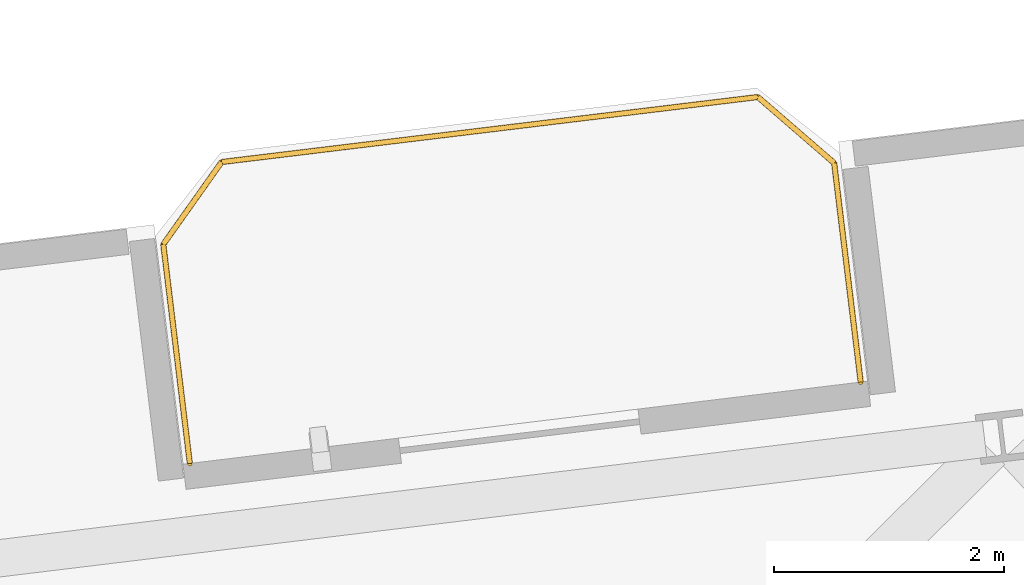
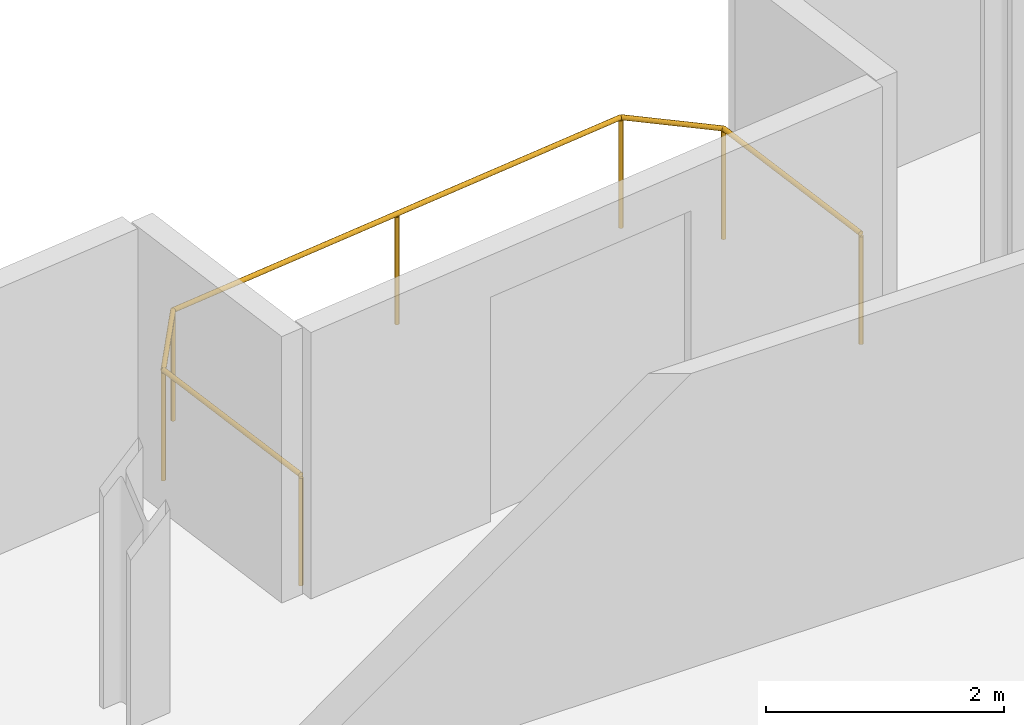
# One storey, part 24 of 24: 1 railing.
"""IFC4 building model written with IfcOpenShell, lengths in metres."""

from ifc_helpers import new_model, si_unit, direction, frame, origin, origin_2d, place, context, subcontext, project, spatial, circle, extrude, material, type_object, element, save


model = new_model("IFC4")

# Units and contexts
model_context = context("Model", 3, precision=1e-05, world=origin(), true_north=direction((0.0, 1.0)))
body_context = subcontext(model_context, "Body", "Model", "MODEL_VIEW")
ifc_project = project(units=[si_unit("LENGTHUNIT", "METRE"), si_unit("AREAUNIT", "SQUARE_METRE"), si_unit("VOLUMEUNIT", "CUBIC_METRE"), si_unit("PLANEANGLEUNIT", "RADIAN"), si_unit("MASSUNIT", "GRAM", prefix="KILO")], contexts=[model_context])

# Site, building, storey
site_placement = place(None, origin())
site = spatial("IfcSite", under=ifc_project, at=site_placement, CompositionType="ELEMENT")
building_placement = place(site_placement, origin())
building = spatial("IfcBuilding", under=site, at=building_placement, Name="Varnelok Gate Tower", CompositionType="ELEMENT")
storey_placement = place(building_placement, frame((0.0, 0.0, 196.800048828125)))
storey = spatial("IfcBuildingStorey", under=building, at=storey_placement, Name="L50", CompositionType="ELEMENT", Elevation=196.800048828125)

# Railing
ifc_material = material(Name="Low-E Laminated Double Glazing IGU", Category="glass")
railing_type = type_object("IfcRailingType", Name="RL-BALC-1150", PredefinedType="BALUSTRADE", material=ifc_material)
railing_placement = place(storey_placement, frame((48.19384765625, 46.335205078125, 0.0)))
element("IfcRailing", 1, at=railing_placement, inside=storey, type_object=railing_type, Name="L50 North Terrace Balustrade 6", PredefinedType="BALUSTRADE", context=body_context, shape_type="SweptSolid", body=[
    extrude(circle(Radius=0.02392578125, at=origin_2d()), frame((0.0, 0.0, 1.1259765625), z_axis=(-0.120293392036, 0.992738384386, 0.0), x_axis=(-0.992738384386, -0.120293392036, 0.0)), (0.0, 0.0, 1.0), 1.919921875),
    extrude(circle(Radius=0.02392578125, at=origin_2d()), frame((-0.23095703125, 1.906005859375, 1.1259765625), z_axis=(0.577971037086, 0.816057277579, 0.0), x_axis=(-0.816057277579, 0.577971037086, 0.0)), (0.0, 0.0, 1.0), 0.877685546875),
    extrude(circle(Radius=0.02392578125, at=origin_2d()), frame((0.2763671875, 2.622314453125, 1.1259765625), z_axis=(0.99273133746, 0.120351533534, 0.0), x_axis=(-0.120351533534, 0.99273133746, 0.0)), (0.0, 0.0, 1.0), 4.7001953125),
    extrude(circle(Radius=0.02392578125, at=origin_2d()), frame((4.9423828125, 3.18798828125, 1.1259765625), z_axis=(0.756303655992, -0.654220742513, 0.0), x_axis=(0.654220742513, 0.756303655992, 0.0)), (0.0, 0.0, 1.0), 0.877685546875),
    extrude(circle(Radius=0.02392578125, at=origin_2d()), frame((5.606201171875, 2.61376953125, 1.1259765625), z_axis=(0.120293392036, -0.992738384386, 0.0), x_axis=(0.992738384386, 0.120293392036, 0.0)), (0.0, 0.0, 1.0), 1.919921875),
    extrude(circle(Radius=0.02099609375, at=origin_2d()), origin(), (0.0, 0.0, 1.0), 1.101806640625),
    extrude(circle(Radius=0.02099609375, at=origin_2d()), frame((-0.23095703125, 1.906005859375, 0.0)), (0.0, 0.0, 1.0), 1.101806640625),
    extrude(circle(Radius=0.02099609375, at=origin_2d()), frame((0.2763671875, 2.622314453125, 0.0)), (0.0, 0.0, 1.0), 1.101806640625),
    extrude(circle(Radius=0.02099609375, at=origin_2d()), frame((2.609375, 2.9052734375, 0.0)), (0.0, 0.0, 1.0), 1.101806640625),
    extrude(circle(Radius=0.02099609375, at=origin_2d()), frame((4.9423828125, 3.18798828125, 0.0)), (0.0, 0.0, 1.0), 1.101806640625),
    extrude(circle(Radius=0.02099609375, at=origin_2d()), frame((5.606201171875, 2.61376953125, 0.0)), (0.0, 0.0, 1.0), 1.101806640625),
    extrude(circle(Radius=0.02099609375, at=origin_2d()), frame((5.837158203125, 0.707763671875, 0.0)), (0.0, 0.0, 1.0), 1.101806640625),
])

save(model, "model.ifc")
